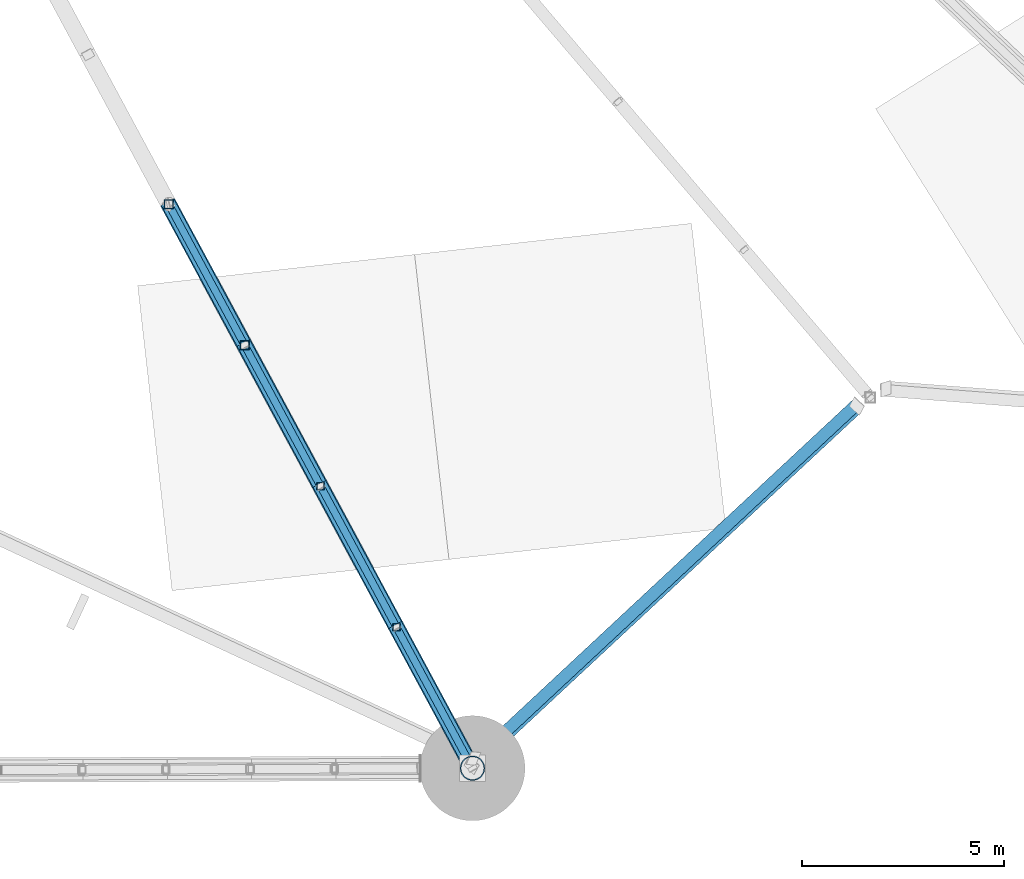
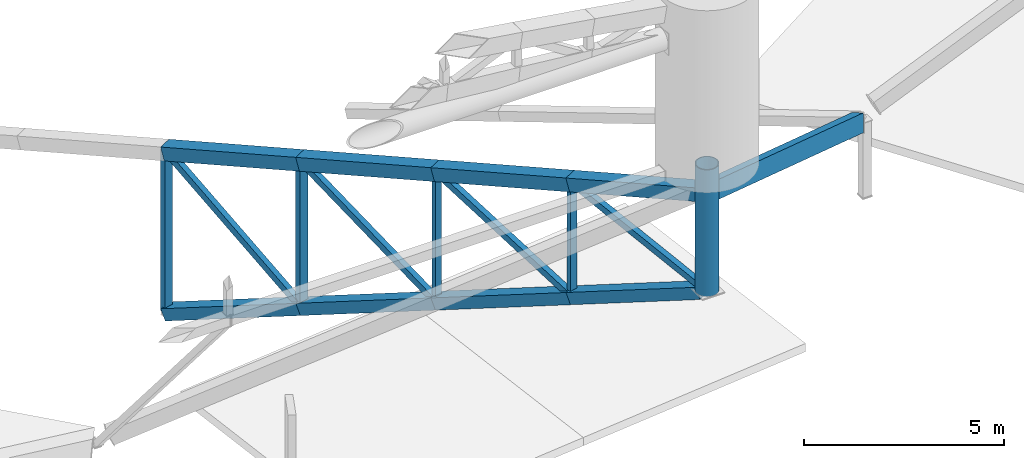
# One storey, part 42 of 188: 17 members, 1 beam.
"""IFC4 building model written with IfcOpenShell, lengths in metres."""

from ifc_helpers import new_model, si_unit, direction, frame, origin, origin_2d, place, context, subcontext, project, spatial, hollow_rectangle, hollow_circle, extrude, material, material_profile, profile_set, type_object, element, save


model = new_model("IFC4")

# Units and contexts
model_context = context("Model", 3, precision=1e-05, world=origin(), true_north=direction((0.0, 1.0)))
body_context = subcontext(model_context, "Body", "Model", "MODEL_VIEW")
ifc_project = project(units=[si_unit("LENGTHUNIT", "METRE"), si_unit("AREAUNIT", "SQUARE_METRE"), si_unit("VOLUMEUNIT", "CUBIC_METRE"), si_unit("PLANEANGLEUNIT", "RADIAN"), si_unit("MASSUNIT", "GRAM", prefix="KILO")], contexts=[model_context])

# Site, building, storey
site_placement = place(None, origin())
site = spatial("IfcSite", under=ifc_project, at=site_placement, CompositionType="ELEMENT")
building_placement = place(site_placement, origin())
building = spatial("IfcBuilding", under=site, at=building_placement, Name="Meseta Stadium", CompositionType="ELEMENT")
storey_placement = place(building_placement, frame((0.0, 0.0, 30.0)))
storey = spatial("IfcBuildingStorey", under=building, at=storey_placement, Name="ROOF", CompositionType="ELEMENT", Elevation=30.0)

# Member
ifc_material_1 = material(Name="Steel S355", Category="steel")
ifc_material_profile_1 = material_profile(ifc_material_1, hollow_circle(Radius=0.304931640625, WallThickness=0.02490234375, at=origin_2d()), Name="CHS 610x25")
ifc_profile_set_1 = profile_set([ifc_material_profile_1], Name="Steel S355")
member_type_1 = type_object("IfcMemberType", Name="CHS 610x25 pylon post", PredefinedType="POST", material=ifc_profile_set_1)
member_1_placement = place(storey_placement, frame((52.202880859375, -105.0517578125, 7.433837890625), z_axis=(0.0, 0.0, 1.0), x_axis=(1.0, 0.0, 0.0)))
element("IfcMember", 1, at=member_1_placement, inside=storey, type_object=member_type_1, Name="GABLE ARCH GA-S pylon post", PredefinedType="POST", context=body_context, shape_type="SweptSolid", body=[
    extrude(hollow_circle(Radius=0.304931640625, WallThickness=0.02490234375, at=origin_2d()), origin(), (0.0, 0.0, 1.0), 3.8662109375),
])

# Beam
ifc_material_2 = material(Name="Steel S355", Category="steel")
ifc_material_profile_2 = material_profile(ifc_material_2, hollow_rectangle(XDim=0.300048828125, YDim=0.5, WallThickness=0.01611328125, at=origin_2d()), Name="RHS 500x300x16")
ifc_profile_set_2 = profile_set([ifc_material_profile_2], Name="Steel S355")
beam_type = type_object("IfcBeamType", Name="RHS 500x300x16 rim ring beam", PredefinedType="BEAM", material=ifc_profile_set_2)
beam_placement = place(storey_placement, frame((52.188720703125, -104.97216796875, 10.34375), z_axis=(0.652982768827, 0.608563879479, -0.450847544308), x_axis=(-0.722747706689, 0.678629325305, -0.130759287669)))
element("IfcBeam", 2, at=beam_placement, inside=storey, type_object=beam_type, Name="RIM RING BEAM 51", PredefinedType="BEAM", context=body_context, shape_type="SweptSolid", body=[
    extrude(hollow_rectangle(XDim=0.300048828125, YDim=0.5, WallThickness=0.01611328125, at=origin_2d()), origin(), (0.0, 0.0, 1.0), 14.5927734375),
])

# Members
ifc_material_3 = material(Name="Steel S355", Category="steel")
ifc_material_profile_3 = material_profile(ifc_material_3, hollow_rectangle(XDim=0.179931640625, YDim=0.179931640625, WallThickness=0.00634765625, at=origin_2d()), Name="SHS 180x180x6.3")
ifc_profile_set_3 = profile_set([ifc_material_profile_3], Name="Steel S355")
member_type_2 = type_object("IfcMemberType", Name="SHS 180x180x6.3 diagonal", PredefinedType="BRACE", material=ifc_profile_set_3)
member_2_placement = place(storey_placement, frame((44.6826171875, -91.0908203125, 5.85986328125), z_axis=(0.364595908123, -0.676917286042, -0.639415992635), x_axis=(0.880415724134, 0.4742026494, 0.0)))
element("IfcMember", 3, at=member_2_placement, inside=storey, type_object=member_type_2, Name="ROOF TRUSS RT-50 diagonal", PredefinedType="BRACE", context=body_context, shape_type="SweptSolid", body=[
    extrude(hollow_rectangle(XDim=0.179931640625, YDim=0.179931640625, WallThickness=0.00634765625, at=origin_2d()), origin(), (0.0, 0.0, 1.0), 5.156005859375),
])
member_3_placement = place(storey_placement, frame((46.5625, -94.5810546875, 7.003173828125), z_axis=(0.386607596949, -0.717691495389, -0.579183462668), x_axis=(0.880390012232, 0.474250383618, 0.0)))
element("IfcMember", 4, at=member_3_placement, inside=storey, type_object=member_type_2, Name="ROOF TRUSS RT-50 diagonal", PredefinedType="BRACE", context=body_context, shape_type="SweptSolid", body=[
    extrude(hollow_rectangle(XDim=0.179931640625, YDim=0.179931640625, WallThickness=0.00634765625, at=origin_2d()), origin(), (0.0, 0.0, 1.0), 4.863037109375),
])
member_4_placement = place(storey_placement, frame((48.442626953125, -98.0712890625, 8.146728515625), z_axis=(0.408562640707, -0.758448449753, -0.507772111961), x_axis=(0.880390012232, 0.474250383618, 0.0)))
element("IfcMember", 5, at=member_4_placement, inside=storey, type_object=member_type_2, Name="ROOF TRUSS RT-50 diagonal", PredefinedType="BRACE", context=body_context, shape_type="SweptSolid", body=[
    extrude(hollow_rectangle(XDim=0.179931640625, YDim=0.179931640625, WallThickness=0.00634765625, at=origin_2d()), origin(), (0.0, 0.0, 1.0), 4.601806640625),
])
member_5_placement = place(storey_placement, frame((50.32275390625, -101.5615234375, 9.290283203125), z_axis=(0.429492314417, -0.797301925323, -0.42408252939), x_axis=(0.880390012232, 0.474250383618, 0.0)))
element("IfcMember", 6, at=member_5_placement, inside=storey, type_object=member_type_2, Name="ROOF TRUSS RT-50 diagonal", PredefinedType="BRACE", context=body_context, shape_type="SweptSolid", body=[
    extrude(hollow_rectangle(XDim=0.179931640625, YDim=0.179931640625, WallThickness=0.00634765625, at=origin_2d()), origin(), (0.0, 0.0, 1.0), 4.37744140625),
])
ifc_material_4 = material(Name="Steel S355", Category="steel")
ifc_material_profile_4 = material_profile(ifc_material_4, hollow_rectangle(XDim=0.179931640625, YDim=0.179931640625, WallThickness=0.00634765625, at=origin_2d()), Name="SHS 180x180x6.3")
ifc_profile_set_4 = profile_set([ifc_material_profile_4], Name="Steel S355")
member_type_3 = type_object("IfcMemberType", Name="SHS 180x180x6.3 post", PredefinedType="POST", material=ifc_profile_set_4)
member_6_placement = place(storey_placement, frame((48.442626953125, -98.0712890625, 4.1865234375), z_axis=(0.0, 0.0, 1.0), x_axis=(1.0, 0.0, 0.0)))
element("IfcMember", 7, at=member_6_placement, inside=storey, type_object=member_type_3, Name="ROOF TRUSS RT-50 post", PredefinedType="POST", context=body_context, shape_type="SweptSolid", body=[
    extrude(hollow_rectangle(XDim=0.179931640625, YDim=0.179931640625, WallThickness=0.00634765625, at=origin_2d()), origin(), (0.0, 0.0, 1.0), 3.960205078125),
])
member_7_placement = place(storey_placement, frame((50.32275390625, -101.5615234375, 5.81005859375), z_axis=(0.0, 0.0, 1.0), x_axis=(1.0, 0.0, 0.0)))
element("IfcMember", 8, at=member_7_placement, inside=storey, type_object=member_type_3, Name="ROOF TRUSS RT-50 post", PredefinedType="POST", context=body_context, shape_type="SweptSolid", body=[
    extrude(hollow_rectangle(XDim=0.179931640625, YDim=0.179931640625, WallThickness=0.00634765625, at=origin_2d()), origin(), (0.0, 0.0, 1.0), 3.480224609375),
])
ifc_material_5 = material(Name="Steel S355", Category="steel")
ifc_material_profile_5 = material_profile(ifc_material_5, hollow_rectangle(XDim=0.219970703125, YDim=0.219970703125, WallThickness=0.008056640625, at=origin_2d()), Name="SHS 220x220x8")
ifc_profile_set_5 = profile_set([ifc_material_profile_5], Name="Steel S355")
member_type_4 = type_object("IfcMemberType", Name="SHS 220x220x8 post", PredefinedType="POST", material=ifc_profile_set_5)
member_8_placement = place(storey_placement, frame((44.6826171875, -91.0908203125, 0.939453125), z_axis=(0.0, 0.0, 1.0), x_axis=(1.0, 0.0, 0.0)))
element("IfcMember", 9, at=member_8_placement, inside=storey, type_object=member_type_4, Name="ROOF TRUSS RT-50 post", PredefinedType="POST", context=body_context, shape_type="SweptSolid", body=[
    extrude(hollow_rectangle(XDim=0.219970703125, YDim=0.219970703125, WallThickness=0.008056640625, at=origin_2d()), origin(), (0.0, 0.0, 1.0), 4.92041015625),
])
member_9_placement = place(storey_placement, frame((46.5625, -94.5810546875, 2.56298828125), z_axis=(0.0, 0.0, 1.0), x_axis=(1.0, 0.0, 0.0)))
element("IfcMember", 10, at=member_9_placement, inside=storey, type_object=member_type_4, Name="ROOF TRUSS RT-50 post", PredefinedType="POST", context=body_context, shape_type="SweptSolid", body=[
    extrude(hollow_rectangle(XDim=0.219970703125, YDim=0.219970703125, WallThickness=0.008056640625, at=origin_2d()), origin(), (0.0, 0.0, 1.0), 4.440185546875),
])
ifc_material_6 = material(Name="Steel S355", Category="steel")
ifc_material_profile_6 = material_profile(ifc_material_6, hollow_rectangle(XDim=0.35009765625, YDim=0.35009765625, WallThickness=0.010009765625, at=origin_2d()), Name="SHS 350x350x10")
ifc_profile_set_6 = profile_set([ifc_material_profile_6], Name="Steel S355")
member_type_5 = type_object("IfcMemberType", Name="SHS 350x350x10 bottom chord", PredefinedType="CHORD", material=ifc_profile_set_6)
for number, where, z_axis, x_axis, name in (
    (11, (44.6826171875, -91.0908203125, 0.939453125), (0.438827930869, -0.814738194767, 0.378987758478), (0.880415724134, 0.4742026494, 0.0), "ROOF TRUSS RT-50 bottom chord"),
    (12, (46.5625, -94.5810546875, 2.56298828125), (0.438873945099, -0.814717818352, 0.378978280081), (0.880390012232, 0.474250383618, 0.0), "ROOF TRUSS RT-50 bottom chord"),
    (13, (48.442626953125, -98.0712890625, 4.1865234375), (0.438873945099, -0.814717818352, 0.378978280081), (0.880390012232, 0.474250383618, 0.0), "ROOF TRUSS RT-50 bottom chord"),
):
    element("IfcMember", number, at=place(storey_placement, frame(where, z_axis=z_axis, x_axis=x_axis)), inside=storey, type_object=member_type_5, Name=name, PredefinedType="CHORD", context=body_context, shape_type="SweptSolid", body=[
        extrude(hollow_rectangle(XDim=0.35009765625, YDim=0.35009765625, WallThickness=0.010009765625, at=origin_2d()), origin(), (0.0, 0.0, 1.0), 4.283935546875),
    ])
member_10_placement = place(storey_placement, frame((50.32275390625, -101.5615234375, 5.81005859375), z_axis=(0.43884780728, -0.814714477853, 0.379015727408), x_axis=(0.880400993177, 0.474229998221, 0.0)))
element("IfcMember", 14, at=member_10_placement, inside=storey, type_object=member_type_5, Name="ROOF TRUSS RT-50 bottom chord", PredefinedType="CHORD", context=body_context, shape_type="SweptSolid", body=[
    extrude(hollow_rectangle(XDim=0.35009765625, YDim=0.35009765625, WallThickness=0.010009765625, at=origin_2d()), origin(), (0.0, 0.0, 1.0), 4.10888671875),
])
ifc_material_7 = material(Name="Steel S355", Category="steel")
ifc_material_profile_7 = material_profile(ifc_material_7, hollow_rectangle(XDim=0.39990234375, YDim=0.39990234375, WallThickness=0.010009765625, at=origin_2d()), Name="SHS 400x400x10")
ifc_profile_set_7 = profile_set([ifc_material_profile_7], Name="Steel S355")
member_type_6 = type_object("IfcMemberType", Name="SHS 400x400x10 top chord", PredefinedType="CHORD", material=ifc_profile_set_7)
for number, where, z_axis, x_axis, name in (
    (15, (46.5625, -94.5810546875, 7.003173828125), (0.45567179988, -0.845901058446, 0.277154487812), (0.880390012232, 0.474250383618, 0.0), "ROOF TRUSS RT-50 top chord"),
    (16, (48.442626953125, -98.0712890625, 8.146728515625), (0.45567179988, -0.845901058446, 0.277154487812), (0.880390012232, 0.474250383618, 0.0), "ROOF TRUSS RT-50 top chord"),
):
    element("IfcMember", number, at=place(storey_placement, frame(where, z_axis=z_axis, x_axis=x_axis)), inside=storey, type_object=member_type_6, Name=name, PredefinedType="CHORD", context=body_context, shape_type="SweptSolid", body=[
        extrude(hollow_rectangle(XDim=0.39990234375, YDim=0.39990234375, WallThickness=0.010009765625, at=origin_2d()), origin(), (0.0, 0.0, 1.0), 4.1259765625),
    ])
member_11_placement = place(storey_placement, frame((50.32275390625, -101.5615234375, 9.290283203125), z_axis=(0.455671760503, -0.845903272243, 0.277147795749), x_axis=(0.880390547556, 0.474249389851, 0.0)))
element("IfcMember", 17, at=member_11_placement, inside=storey, type_object=member_type_6, Name="ROOF TRUSS RT-50 top chord", PredefinedType="CHORD", context=body_context, shape_type="SweptSolid", body=[
    extrude(hollow_rectangle(XDim=0.39990234375, YDim=0.39990234375, WallThickness=0.010009765625, at=origin_2d()), origin(), (0.0, 0.0, 1.0), 3.950927734375),
])
ifc_material_8 = material(Name="Steel S355", Category="steel")
ifc_material_profile_8 = material_profile(ifc_material_8, hollow_rectangle(XDim=0.39990234375, YDim=0.39990234375, WallThickness=0.01416015625, at=origin_2d()), Name="SHS 400x400x14.2")
ifc_profile_set_8 = profile_set([ifc_material_profile_8], Name="Steel S355")
member_type_7 = type_object("IfcMemberType", Name="SHS 400x400x14.2 top chord", PredefinedType="CHORD", material=ifc_profile_set_8)
member_12_placement = place(storey_placement, frame((44.6826171875, -91.0908203125, 5.85986328125), z_axis=(0.455632385226, -0.845937737558, 0.277107332469), x_axis=(0.880415724134, 0.4742026494, 0.0)))
element("IfcMember", 18, at=member_12_placement, inside=storey, type_object=member_type_7, Name="ROOF TRUSS RT-50 top chord", PredefinedType="CHORD", context=body_context, shape_type="SweptSolid", body=[
    extrude(hollow_rectangle(XDim=0.39990234375, YDim=0.39990234375, WallThickness=0.01416015625, at=origin_2d()), origin(), (0.0, 0.0, 1.0), 4.1259765625),
])

save(model, "model.ifc")
